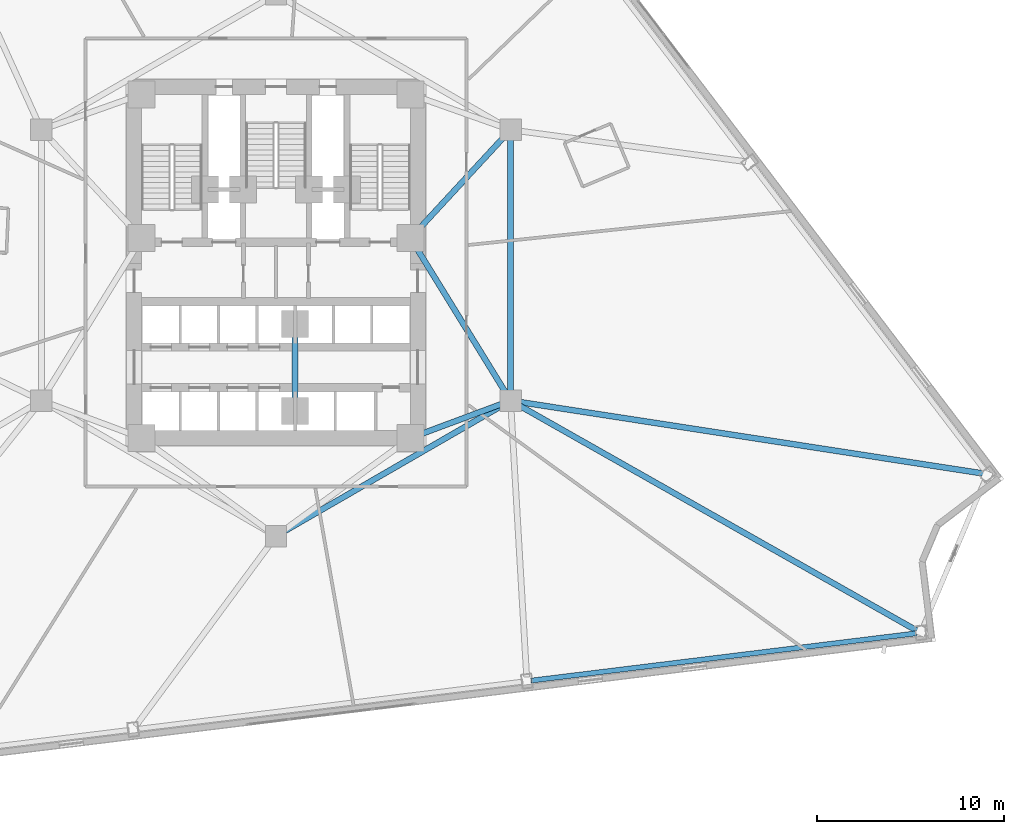
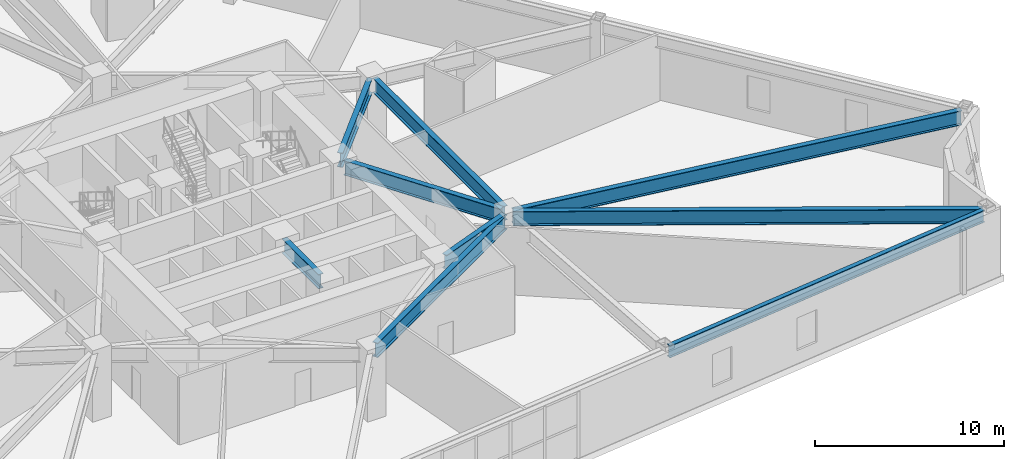
# One storey, part 3 of 21: 9 beams.
"""IFC4 building model written with IfcOpenShell, lengths in metres."""

import ifcopenshell
import ifcopenshell.guid

model = None  # the IFC model being written
_history = None  # IfcOwnerHistory: only IFC2X3 demands one
_inside = {}  # id of a spatial element -> (the spatial element, [elements in it])
_under = {}  # id of a project, library or spatial element -> (it, [spatial elements below it])
_declared = {}  # id of a project -> (the project, [libraries it declares])
_typed = {}  # id of a type object -> (the type object, [elements of that type])
_made_of = {}  # id of a material, layer set ... -> (it, [elements and type objects made of it])


def new_model(schema):
    """Start an empty IFC model of exactly this schema.

    Asked for "IFC4X3", IfcOpenShell would pick the latest addendum, in which some entities
    have other attributes; the version numbers below select the first issue.
    IFC2X3 requires an IfcOwnerHistory on every rooted entity: one is made here for all.
    """
    global model, _history
    if schema == "IFC4X3":
        model = ifcopenshell.file(schema_version=(4, 3, 0, 0))
    else:
        model = ifcopenshell.file(schema=schema)
    _inside.clear()
    _under.clear()
    _declared.clear()
    _typed.clear()
    _made_of.clear()
    _history = None
    if model.schema == "IFC2X3":
        org = make("IfcOrganization", Name="unknown")
        user = make(
            "IfcPersonAndOrganization",
            ThePerson=make("IfcPerson", FamilyName="unknown"),
            TheOrganization=org,
        )
        app = make(
            "IfcApplication",
            ApplicationDeveloper=org,
            Version="unknown",
            ApplicationFullName="unknown",
            ApplicationIdentifier="unknown",
        )
        _history = make(
            "IfcOwnerHistory",
            OwningUser=user,
            OwningApplication=app,
            ChangeAction="ADDED",
            CreationDate=0,
        )
    return model


def make(cls, **values):
    """One entity of the class cls with the attributes given. An attribute that is None is left unset."""
    return model.create_entity(
        cls, **{name: value for name, value in values.items() if value is not None}
    )


def rooted(cls, **values):
    """An entity with a GlobalId (a new one), such as an element, a storey or a relation."""
    return make(cls, GlobalId=ifcopenshell.guid.new(), OwnerHistory=_history, **values)


def si_unit(unit_type, name, prefix=None):
    """IfcSIUnit, for example si_unit("LENGTHUNIT", "METRE", prefix="MILLI")."""
    return make("IfcSIUnit", UnitType=unit_type, Prefix=prefix, Name=name)


def assignment(units):
    """IfcUnitAssignment: the units of a project."""
    return None if units is None else make("IfcUnitAssignment", Units=units)


def point(xyz):
    """IfcCartesianPoint."""
    return None if xyz is None else make("IfcCartesianPoint", Coordinates=xyz)


def direction(xyz):
    """IfcDirection."""
    return None if xyz is None else make("IfcDirection", DirectionRatios=xyz)


def frame(location, z_axis=None, x_axis=None):
    """IfcAxis2Placement3D, a coordinate frame: its origin and axes. An axis left out is left unset."""
    return make(
        "IfcAxis2Placement3D",
        Location=point(location),
        Axis=direction(z_axis),
        RefDirection=direction(x_axis),
    )


def frame_2d(location, x_axis=None):
    """IfcAxis2Placement2D, a coordinate frame in the plane: its origin and x axis."""
    return make(
        "IfcAxis2Placement2D", Location=point(location), RefDirection=direction(x_axis)
    )


def origin():
    """The frame at (0, 0, 0) with its axes left unset."""
    return frame((0.0, 0.0, 0.0))


def origin_2d():
    """The frame at (0, 0) in the plane with its x axis left unset."""
    return frame_2d((0.0, 0.0))


def place(relative_to, where):
    """IfcLocalPlacement: puts the frame where relative to a parent placement (None: the world)."""
    return make(
        "IfcLocalPlacement", PlacementRelTo=relative_to, RelativePlacement=where
    )


def context(
    kind, dimensions, precision=None, world=None, true_north=None, identifier=None
):
    """IfcGeometricRepresentationContext, for example the 3D "Model" context."""
    return make(
        "IfcGeometricRepresentationContext",
        ContextIdentifier=identifier,
        ContextType=kind,
        CoordinateSpaceDimension=dimensions,
        Precision=precision,
        WorldCoordinateSystem=world,
        TrueNorth=true_north,
    )


def subcontext(parent, identifier, kind, view, scale=None):
    """IfcGeometricRepresentationSubContext, for example "Body" below "Model"."""
    return make(
        "IfcGeometricRepresentationSubContext",
        ContextIdentifier=identifier,
        ContextType=kind,
        ParentContext=parent,
        TargetScale=scale,
        TargetView=view,
    )


def project(units=None, contexts=None):
    """IfcProject with its units and contexts."""
    return rooted(
        "IfcProject",
        Name="project",
        RepresentationContexts=contexts,
        UnitsInContext=assignment(units),
    )


def spatial(cls, under=None, at=None, **own):
    """A site, building, storey or space (cls), placed at a placement, below another one or the project."""
    s = rooted(cls, ObjectPlacement=at, **own)
    if under is not None:
        _under.setdefault(under.id(), (under, []))[1].append(s)
    return s


def profile(cls, at=None, kind="AREA", **sizes):
    """A parametric profile (cls). Its sizes go by their IFC names, for example OverallWidth=200.0."""
    return make(cls, ProfileType=kind, Position=at, **sizes)


def i_section(**sizes):
    """IfcIShapeProfileDef."""
    return profile("IfcIShapeProfileDef", **sizes)


def extrude(swept, where, along, depth):
    """IfcExtrudedAreaSolid: the profile swept, set in the frame where, extruded along a direction by depth."""
    return make(
        "IfcExtrudedAreaSolid",
        SweptArea=swept,
        Position=where,
        ExtrudedDirection=direction(along),
        Depth=depth,
    )


def shape(context_of_items, identifier, shape_type, items):
    """IfcShapeRepresentation: the items that make up one representation, for example the "Body"."""
    return make(
        "IfcShapeRepresentation",
        ContextOfItems=context_of_items,
        RepresentationIdentifier=identifier,
        RepresentationType=shape_type,
        Items=items,
    )


def material(Name=None, Category=None):
    """IfcMaterial."""
    return make("IfcMaterial", Name=Name, Category=Category)


def material_profile(
    of_material, cross_section, Name=None, Category=None, Priority=None
):
    """IfcMaterialProfile: a cross section and its material."""
    return make(
        "IfcMaterialProfile",
        Name=Name,
        Material=of_material,
        Profile=cross_section,
        Priority=Priority,
        Category=Category,
    )


def profile_set(profiles, Name=None, composite=None):
    """IfcMaterialProfileSet."""
    return make(
        "IfcMaterialProfileSet",
        Name=Name,
        MaterialProfiles=profiles,
        CompositeProfile=composite,
    )


def made_of(thing, what):
    """Note that an element or type object is made of a material, layer set ...; save() writes the relation."""
    if what is not None:
        _made_of.setdefault(what.id(), (what, []))[1].append(thing)
    return thing


def type_object(cls, material=None, **own):
    """A type object (cls), such as IfcWallType, which elements share."""
    return made_of(rooted(cls, **own), material)


def element(
    cls,
    number,
    at=None,
    inside=None,
    cuts=None,
    type_object=None,
    material=None,
    context=None,
    identifier="Body",
    shape_type=None,
    held_by="IfcProductDefinitionShape",
    body=None,
    shapes=None,
    **own,
):
    """One element of the class cls, such as IfcWall. Its Tag is "e" and its number.

    at: its placement. inside: the storey or other place that contains it. cuts: it is an
    opening in that element (IfcRelVoidsElement). A single representation is given by context,
    identifier, shape_type and body (its items); several are given by shapes. held_by: the class
    of the entity that holds the representations. save() writes the other relations.
    """
    e = rooted(cls, Tag="e%d" % number, ObjectPlacement=at, **own)
    if body is not None:
        shapes = [shape(context, identifier, shape_type, body)]
    if shapes is not None:
        e.Representation = make(held_by, Representations=shapes)
    if inside is not None:
        _inside.setdefault(inside.id(), (inside, []))[1].append(e)
    if cuts is not None:
        rooted(
            "IfcRelVoidsElement", RelatingBuildingElement=cuts, RelatedOpeningElement=e
        )
    if type_object is not None:
        _typed.setdefault(type_object.id(), (type_object, []))[1].append(e)
    return made_of(e, material)


def aggregate(whole, parts):
    """IfcRelAggregates: a whole, such as a stair, and the parts it consists of."""
    return rooted("IfcRelAggregates", RelatingObject=whole, RelatedObjects=parts)


def save(model, path):
    """Write the relations noted so far, then the file.

    IfcRelAggregates (storeys below a building ...), IfcRelContainedInSpatialStructure (elements
    in a storey), IfcRelDefinesByType, IfcRelAssociatesMaterial and IfcRelDeclares: one each for
    every whole, place, type object, material and project.
    """
    for whole, parts in _under.values():
        aggregate(whole, parts)
    for where, things in _inside.values():
        rooted(
            "IfcRelContainedInSpatialStructure",
            RelatedElements=things,
            RelatingStructure=where,
        )
    for kind, things in _typed.values():
        rooted("IfcRelDefinesByType", RelatedObjects=things, RelatingType=kind)
    for what, things in _made_of.values():
        rooted("IfcRelAssociatesMaterial", RelatedObjects=things, RelatingMaterial=what)
    for by, libraries in _declared.values():
        rooted("IfcRelDeclares", RelatingContext=by, RelatedDefinitions=libraries)
    model.write(path)


model = new_model("IFC4")

# Units and contexts
model_context = context("Model", 3, precision=1e-05, world=origin(), true_north=direction((0.0, 1.0)))
body_context = subcontext(model_context, "Body", "Model", "MODEL_VIEW")
ifc_project = project(units=[si_unit("LENGTHUNIT", "METRE"), si_unit("AREAUNIT", "SQUARE_METRE"), si_unit("VOLUMEUNIT", "CUBIC_METRE"), si_unit("PLANEANGLEUNIT", "RADIAN"), si_unit("MASSUNIT", "GRAM", prefix="KILO")], contexts=[model_context])

# Site, building, storey
site_placement = place(None, origin())
site = spatial("IfcSite", under=ifc_project, at=site_placement, CompositionType="ELEMENT")
building_placement = place(site_placement, origin())
building = spatial("IfcBuilding", under=site, at=building_placement, Name="Apsidion Concourse Tower", CompositionType="ELEMENT")
storey_placement = place(building_placement, frame((0.0, 0.0, 62.39990234375)))
storey = spatial("IfcBuildingStorey", under=building, at=storey_placement, Name="L13", CompositionType="ELEMENT", Elevation=62.39990234375)

# Beams
ifc_material = material(Name="Structural steel ASTM A992 Grade 50", Category="steel")
ifc_material_profile_1 = material_profile(ifc_material, i_section(OverallWidth=0.31005859375, OverallDepth=0.931884765625, WebThickness=0.02099609375, FlangeThickness=0.034423828125, at=origin_2d()), Name="W36X210")
ifc_profile_set_1 = profile_set([ifc_material_profile_1], Name="Structural steel ASTM A992 Grade 50")
beam_type_1 = type_object("IfcBeamType", Name="BM-G-W36", PredefinedType="USERDEFINED", material=ifc_profile_set_1)
beam_1_placement = place(storey_placement, frame((12.185302734375, -7.389892578125, 3.884033203125), z_axis=(-0.936913021145, -0.349562570664, 0.0), x_axis=(0.349562570664, -0.936913021145, 0.0)))
element("IfcBeam", 1, at=beam_1_placement, inside=storey, type_object=beam_type_1, Name="L13 Core Coupling Girder IC2-SC2", ObjectType="GIRDER", PredefinedType="USERDEFINED", context=body_context, shape_type="SweptSolid", body=[
    extrude(i_section(OverallWidth=0.31005859375, OverallDepth=0.931884765625, WebThickness=0.02099609375, FlangeThickness=0.034423828125, at=origin_2d()), origin(), (0.0, 0.0, 1.0), 4.921142578125),
])
beam_2_placement = place(storey_placement, frame((12.35009765625, -6.909423828125, 3.884033203125), z_axis=(-0.524524009763, 0.851395656074, 0.0), x_axis=(-0.851395656074, -0.524524009763, 0.0)))
element("IfcBeam", 2, at=beam_2_placement, inside=storey, type_object=beam_type_1, Name="L13 Core Coupling Girder IC2-SC3", ObjectType="GIRDER", PredefinedType="USERDEFINED", context=body_context, shape_type="SweptSolid", body=[
    extrude(i_section(OverallWidth=0.31005859375, OverallDepth=0.931884765625, WebThickness=0.02099609375, FlangeThickness=0.034423828125, at=origin_2d()), origin(), (0.0, 0.0, 1.0), 9.41845703125),
])
beam_3_placement = place(storey_placement, frame((12.28857421875, 6.956298828125, 3.884033203125), z_axis=(-0.678712876106, -0.73440372535, 0.0), x_axis=(0.73440372535, -0.678712876106, 0.0)))
element("IfcBeam", 3, at=beam_3_placement, inside=storey, type_object=beam_type_1, Name="L13 Core Coupling Girder IC3-SC3", ObjectType="GIRDER", PredefinedType="USERDEFINED", context=body_context, shape_type="SweptSolid", body=[
    extrude(i_section(OverallWidth=0.31005859375, OverallDepth=0.931884765625, WebThickness=0.02099609375, FlangeThickness=0.034423828125, at=origin_2d()), origin(), (0.0, 0.0, 1.0), 7.097412109375),
])
beam_4_placement = place(storey_placement, frame((12.56005859375, 6.85009765625, 3.884033203125), z_axis=(0.0, -1.0, 0.0), x_axis=(1.0, 0.0, 0.0)))
element("IfcBeam", 4, at=beam_4_placement, inside=storey, type_object=beam_type_1, Name="L13 Core Coupling Girder IC3-IC2", ObjectType="GIRDER", PredefinedType="USERDEFINED", context=body_context, shape_type="SweptSolid", body=[
    extrude(i_section(OverallWidth=0.31005859375, OverallDepth=0.931884765625, WebThickness=0.02099609375, FlangeThickness=0.034423828125, at=origin_2d()), origin(), (0.0, 0.0, 1.0), 13.7001953125),
])
beam_5_placement = place(storey_placement, frame((12.213623046875, -7.449951171875, 3.884033203125), z_axis=(-0.866070471464, -0.499921932364, 0.0), x_axis=(0.499921932364, -0.866070471464, 0.0)))
element("IfcBeam", 5, at=beam_5_placement, inside=storey, type_object=beam_type_1, Name="L13 Core Coupling Girder IC2-IC6", ObjectType="GIRDER", PredefinedType="USERDEFINED", context=body_context, shape_type="SweptSolid", body=[
    extrude(i_section(OverallWidth=0.31005859375, OverallDepth=0.931884765625, WebThickness=0.02099609375, FlangeThickness=0.034423828125, at=origin_2d()), origin(), (0.0, 0.0, 1.0), 13.702392578125),
])
beam_6_placement = place(storey_placement, frame((1.02490234375, -3.550048828125, 3.884033203125), z_axis=(0.0, -1.0, 0.0), x_axis=(1.0, 0.0, 0.0)))
element("IfcBeam", 6, at=beam_6_placement, inside=storey, type_object=beam_type_1, Name="L13 Core Coupling Girder CC5-CC6", ObjectType="GIRDER", PredefinedType="USERDEFINED", context=body_context, shape_type="SweptSolid", body=[
    extrude(i_section(OverallWidth=0.31005859375, OverallDepth=0.931884765625, WebThickness=0.02099609375, FlangeThickness=0.034423828125, at=origin_2d()), origin(), (0.0, 0.0, 1.0), 3.849853515625),
])
beam_7_placement = place(storey_placement, frame((12.75146484375, -7.3583984375, 3.884033203125), z_axis=(0.870218136179, -0.492666616958, 0.0), x_axis=(0.492666616958, 0.870218136179, 0.0)))
element("IfcBeam", 7, at=beam_7_placement, inside=storey, type_object=beam_type_1, Name="L13 Radial Floor Girder RAD-08", ObjectType="GIRDER", PredefinedType="USERDEFINED", context=body_context, shape_type="SweptSolid", body=[
    extrude(i_section(OverallWidth=0.31005859375, OverallDepth=0.931884765625, WebThickness=0.02099609375, FlangeThickness=0.034423828125, at=origin_2d()), origin(), (0.0, 0.0, 1.0), 24.788330078125),
])
beam_8_placement = place(storey_placement, frame((12.77734375, -7.283447265625, 3.884033203125), z_axis=(0.98832519419, -0.152359149806, 0.0), x_axis=(0.152359149806, 0.98832519419, 0.0)))
element("IfcBeam", 8, at=beam_8_placement, inside=storey, type_object=beam_type_1, Name="L13 Radial Floor Girder RAD-09", ObjectType="GIRDER", PredefinedType="USERDEFINED", context=body_context, shape_type="SweptSolid", body=[
    extrude(i_section(OverallWidth=0.31005859375, OverallDepth=0.931884765625, WebThickness=0.02099609375, FlangeThickness=0.034423828125, at=origin_2d()), origin(), (0.0, 0.0, 1.0), 25.394775390625),
])
ifc_material_profile_2 = material_profile(ifc_material, i_section(OverallWidth=0.26806640625, OverallDepth=0.77001953125, WebThickness=0.015625, FlangeThickness=0.025390625, at=origin_2d()), Name="W30X132")
ifc_profile_set_2 = profile_set([ifc_material_profile_2], Name="Structural steel ASTM A992 Grade 50")
beam_type_2 = type_object("IfcBeamType", Name="BM-SP-W30", PredefinedType="SPANDREL", material=ifc_profile_set_2)
beam_9_placement = place(storey_placement, frame((13.65185546875, -22.24072265625, 3.965087890625), z_axis=(0.992546743565, 0.121864522478, 0.0), x_axis=(-0.121864522478, 0.992546743565, 0.0)))
element("IfcBeam", 9, at=beam_9_placement, inside=storey, type_object=beam_type_2, Name="L13 Perimeter Spandrel Girder SP-07", PredefinedType="SPANDREL", context=body_context, shape_type="SweptSolid", body=[
    extrude(i_section(OverallWidth=0.26806640625, OverallDepth=0.77001953125, WebThickness=0.015625, FlangeThickness=0.025390625, at=origin_2d()), origin(), (0.0, 0.0, 1.0), 20.799072265625),
])

save(model, "model.ifc")
